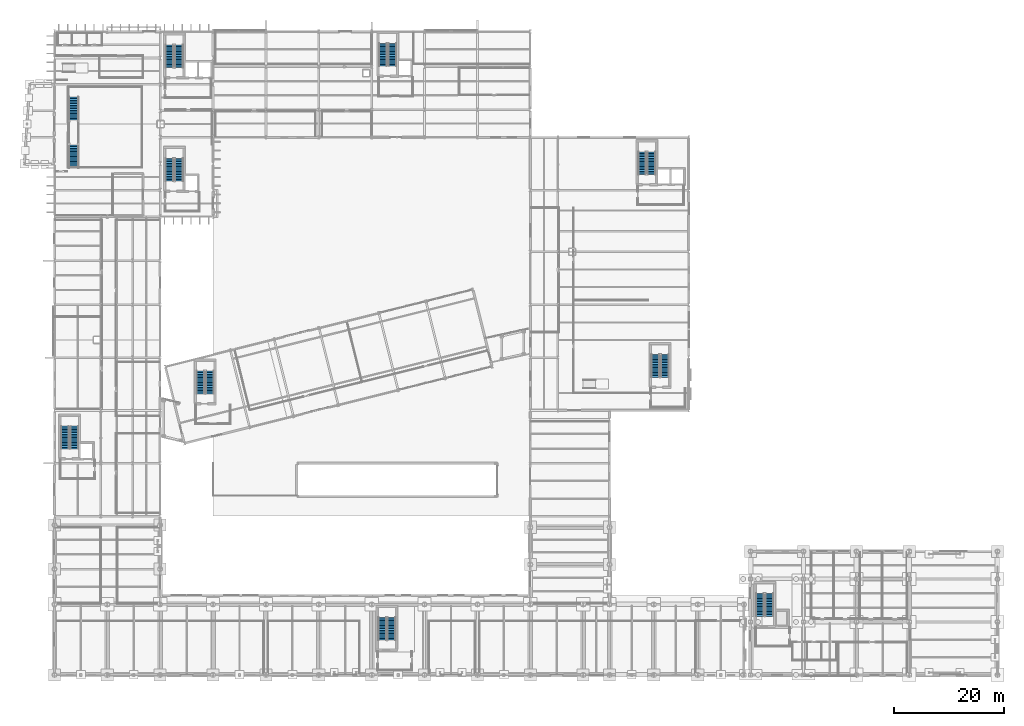
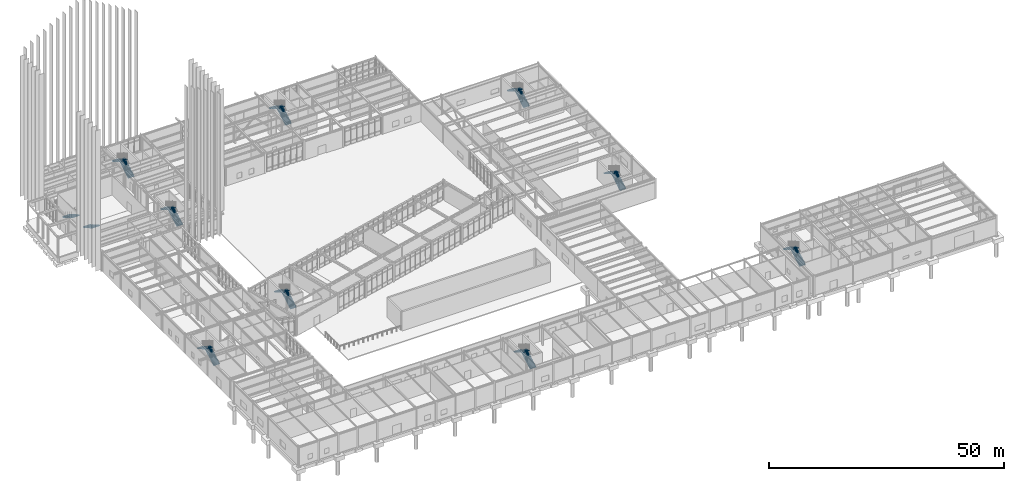
# One storey, part 97 of 109: 20 stair flights, 10 elements without a shape of their own.
"""IFC4 building model written with IfcOpenShell, lengths in metres."""

from ifc_helpers import new_model, si_unit, direction, frame, origin, place, context, subcontext, project, spatial, polyline, outline, extrude, material, type_object, element, aggregate, save


model = new_model("IFC4")

# Units and contexts
model_context = context("Model", 3, precision=1e-05, world=origin(), true_north=direction((0.0, 1.0)))
body_context = subcontext(model_context, "Body", "Model", "MODEL_VIEW")
ifc_project = project(units=[si_unit("LENGTHUNIT", "METRE"), si_unit("AREAUNIT", "SQUARE_METRE"), si_unit("VOLUMEUNIT", "CUBIC_METRE"), si_unit("PLANEANGLEUNIT", "RADIAN"), si_unit("MASSUNIT", "GRAM", prefix="KILO")], contexts=[model_context])

# Site, building, storey
site_placement = place(None, origin())
site = spatial("IfcSite", under=ifc_project, at=site_placement, CompositionType="ELEMENT")
building_placement = place(site_placement, origin())
building = spatial("IfcBuilding", under=site, at=building_placement, Name="Nordkorset Police Headquarters", CompositionType="ELEMENT")
storey_placement = place(building_placement, origin())
storey = spatial("IfcBuildingStorey", under=building, at=storey_placement, Name="L00", CompositionType="ELEMENT", Elevation=0.0)

# Stair, stair flights
ifc_material_1 = material(Name="Concrete C35/45", Category="concrete")
stair_type_1 = type_object("IfcStairType", Name="ST-52", PredefinedType="HALF_TURN_STAIR", material=ifc_material_1)
stair_1_placement = place(storey_placement, origin())
stair_1 = element("IfcStair", 1, at=stair_1_placement, inside=storey, type_object=stair_type_1, Name="L00 Protected Escape Stair ST-01", PredefinedType="HALF_TURN_STAIR")
ifc_material_2 = material(Name="Concrete C35/45", Category="concrete")
stair_flight_type_1 = type_object("IfcStairFlightType", Name="SF-52", PredefinedType="STRAIGHT", material=ifc_material_2)
stair_flight_1_placement = place(storey_placement, frame((22.625, 110.22509765625, 0.0), z_axis=(0.0, 0.0, 1.0), x_axis=(0.0, 1.0, 0.0)))
stair_flight_1 = element("IfcStairFlight", 2, at=stair_flight_1_placement, type_object=stair_flight_type_1, Name="ST-01 flight 1", NumberOfRisers=15, NumberOfTreads=14, PredefinedType="STRAIGHT", RiserHeight=0.175, TreadLength=0.295, context=body_context, shape_type="SweptSolid", body=[
    extrude(outline(polyline([(0.0, 0.0), (0.0, 0.175048828125), (0.294921875, 0.175048828125), (0.294921875, 0.35009765625), (0.590087890625, 0.35009765625), (0.590087890625, 0.52490234375), (0.885009765625, 0.52490234375), (0.885009765625, 0.699951171875), (1.179931640625, 0.699951171875), (1.179931640625, 0.875), (1.47509765625, 0.875), (1.47509765625, 1.050048828125), (1.77001953125, 1.050048828125), (1.77001953125, 1.22509765625), (2.06494140625, 1.22509765625), (2.06494140625, 1.39990234375), (2.360107421875, 1.39990234375), (2.360107421875, 1.574951171875), (2.655029296875, 1.574951171875), (2.655029296875, 1.75), (2.949951171875, 1.75), (2.949951171875, 1.925048828125), (3.2451171875, 1.925048828125), (3.2451171875, 2.10009765625), (3.5400390625, 2.10009765625), (3.5400390625, 2.27490234375), (3.8349609375, 2.27490234375), (3.8349609375, 2.449951171875), (4.1298828125, 2.449951171875), (4.1298828125, 2.625), (4.1298828125, 2.26416015625), (0.3134765625, 0.0), (0.0, 0.0)])), frame((0.0, 0.75, 0.0), z_axis=(0.0, -1.0, 0.0), x_axis=(1.0, 0.0, 0.0)), (0.0, 0.0, 1.0), 1.5),
])
stair_flight_2_placement = place(storey_placement, frame((20.925048828125, 114.35498046875, 2.625), z_axis=(0.0, 0.0, 1.0), x_axis=(0.0, -1.0, 0.0)))
stair_flight_2 = element("IfcStairFlight", 3, at=stair_flight_2_placement, type_object=stair_flight_type_1, Name="ST-01 flight 2", NumberOfRisers=15, NumberOfTreads=14, PredefinedType="STRAIGHT", RiserHeight=0.175, TreadLength=0.295, context=body_context, shape_type="SweptSolid", body=[
    extrude(outline(polyline([(0.0, 0.0), (0.0, 0.175048828125), (0.294921875, 0.175048828125), (0.294921875, 0.35009765625), (0.590087890625, 0.35009765625), (0.590087890625, 0.52490234375), (0.885009765625, 0.52490234375), (0.885009765625, 0.699951171875), (1.179931640625, 0.699951171875), (1.179931640625, 0.875), (1.47509765625, 0.875), (1.47509765625, 1.050048828125), (1.77001953125, 1.050048828125), (1.77001953125, 1.22509765625), (2.06494140625, 1.22509765625), (2.06494140625, 1.39990234375), (2.360107421875, 1.39990234375), (2.360107421875, 1.574951171875), (2.655029296875, 1.574951171875), (2.655029296875, 1.75), (2.949951171875, 1.75), (2.949951171875, 1.925048828125), (3.2451171875, 1.925048828125), (3.2451171875, 2.10009765625), (3.5400390625, 2.10009765625), (3.5400390625, 2.27490234375), (3.8349609375, 2.27490234375), (3.8349609375, 2.449951171875), (4.1298828125, 2.449951171875), (4.1298828125, 2.625), (4.1298828125, 2.26416015625), (0.3134765625, 0.0), (0.0, 0.0)])), frame((0.0, 0.75, 0.0), z_axis=(0.0, -1.0, 0.0), x_axis=(1.0, 0.0, 0.0)), (0.0, 0.0, 1.0), 1.5),
])
aggregate(stair_1, [stair_flight_1, stair_flight_2])

stair_2_placement = place(storey_placement, origin())
stair_2 = element("IfcStair", 4, at=stair_2_placement, inside=storey, type_object=stair_type_1, Name="L00 Protected Escape Stair ST-03", PredefinedType="HALF_TURN_STAIR")
stair_flight_3_placement = place(storey_placement, frame((22.625, 89.625, 0.0), z_axis=(0.0, 0.0, 1.0), x_axis=(0.0, 1.0, 0.0)))
stair_flight_3 = element("IfcStairFlight", 5, at=stair_flight_3_placement, type_object=stair_flight_type_1, Name="ST-03 flight 1", NumberOfRisers=15, NumberOfTreads=14, PredefinedType="STRAIGHT", RiserHeight=0.175, TreadLength=0.295, context=body_context, shape_type="SweptSolid", body=[
    extrude(outline(polyline([(0.0, 0.0), (0.0, 0.175048828125), (0.294921875, 0.175048828125), (0.294921875, 0.35009765625), (0.590087890625, 0.35009765625), (0.590087890625, 0.52490234375), (0.885009765625, 0.52490234375), (0.885009765625, 0.699951171875), (1.179931640625, 0.699951171875), (1.179931640625, 0.875), (1.47509765625, 0.875), (1.47509765625, 1.050048828125), (1.77001953125, 1.050048828125), (1.77001953125, 1.22509765625), (2.06494140625, 1.22509765625), (2.06494140625, 1.39990234375), (2.360107421875, 1.39990234375), (2.360107421875, 1.574951171875), (2.655029296875, 1.574951171875), (2.655029296875, 1.75), (2.949951171875, 1.75), (2.949951171875, 1.925048828125), (3.2451171875, 1.925048828125), (3.2451171875, 2.10009765625), (3.5400390625, 2.10009765625), (3.5400390625, 2.27490234375), (3.8349609375, 2.27490234375), (3.8349609375, 2.449951171875), (4.1298828125, 2.449951171875), (4.1298828125, 2.625), (4.1298828125, 2.26416015625), (0.3134765625, 0.0), (0.0, 0.0)])), frame((0.0, 0.75, 0.0), z_axis=(0.0, -1.0, 0.0), x_axis=(1.0, 0.0, 0.0)), (0.0, 0.0, 1.0), 1.5),
])
stair_flight_4_placement = place(storey_placement, frame((20.925048828125, 93.7548828125, 2.625), z_axis=(0.0, 0.0, 1.0), x_axis=(0.0, -1.0, 0.0)))
stair_flight_4 = element("IfcStairFlight", 6, at=stair_flight_4_placement, type_object=stair_flight_type_1, Name="ST-03 flight 2", NumberOfRisers=15, NumberOfTreads=14, PredefinedType="STRAIGHT", RiserHeight=0.175, TreadLength=0.295, context=body_context, shape_type="SweptSolid", body=[
    extrude(outline(polyline([(0.0, 0.0), (0.0, 0.175048828125), (0.294921875, 0.175048828125), (0.294921875, 0.35009765625), (0.590087890625, 0.35009765625), (0.590087890625, 0.52490234375), (0.885009765625, 0.52490234375), (0.885009765625, 0.699951171875), (1.179931640625, 0.699951171875), (1.179931640625, 0.875), (1.47509765625, 0.875), (1.47509765625, 1.050048828125), (1.77001953125, 1.050048828125), (1.77001953125, 1.22509765625), (2.06494140625, 1.22509765625), (2.06494140625, 1.39990234375), (2.360107421875, 1.39990234375), (2.360107421875, 1.574951171875), (2.655029296875, 1.574951171875), (2.655029296875, 1.75), (2.949951171875, 1.75), (2.949951171875, 1.925048828125), (3.2451171875, 1.925048828125), (3.2451171875, 2.10009765625), (3.5400390625, 2.10009765625), (3.5400390625, 2.27490234375), (3.8349609375, 2.27490234375), (3.8349609375, 2.449951171875), (4.1298828125, 2.449951171875), (4.1298828125, 2.625), (4.1298828125, 2.26416015625), (0.3134765625, 0.0), (0.0, 0.0)])), frame((0.0, 0.75, 0.0), z_axis=(0.0, -1.0, 0.0), x_axis=(1.0, 0.0, 0.0)), (0.0, 0.0, 1.0), 1.5),
])
aggregate(stair_2, [stair_flight_3, stair_flight_4])

stair_3_placement = place(storey_placement, origin())
stair_3 = element("IfcStair", 7, at=stair_3_placement, inside=storey, type_object=stair_type_1, Name="L00 Protected Escape Stair ST-02", PredefinedType="HALF_TURN_STAIR")
stair_flight_5_placement = place(storey_placement, frame((61.375, 110.52490234375, 0.0), z_axis=(0.0, 0.0, 1.0), x_axis=(0.0, 1.0, 0.0)))
stair_flight_5 = element("IfcStairFlight", 8, at=stair_flight_5_placement, type_object=stair_flight_type_1, Name="ST-02 flight 1", NumberOfRisers=15, NumberOfTreads=14, PredefinedType="STRAIGHT", RiserHeight=0.175, TreadLength=0.295, context=body_context, shape_type="SweptSolid", body=[
    extrude(outline(polyline([(0.0, 0.0), (0.0, 0.175048828125), (0.294921875, 0.175048828125), (0.294921875, 0.35009765625), (0.590087890625, 0.35009765625), (0.590087890625, 0.52490234375), (0.885009765625, 0.52490234375), (0.885009765625, 0.699951171875), (1.179931640625, 0.699951171875), (1.179931640625, 0.875), (1.47509765625, 0.875), (1.47509765625, 1.050048828125), (1.77001953125, 1.050048828125), (1.77001953125, 1.22509765625), (2.06494140625, 1.22509765625), (2.06494140625, 1.39990234375), (2.360107421875, 1.39990234375), (2.360107421875, 1.574951171875), (2.655029296875, 1.574951171875), (2.655029296875, 1.75), (2.949951171875, 1.75), (2.949951171875, 1.925048828125), (3.2451171875, 1.925048828125), (3.2451171875, 2.10009765625), (3.5400390625, 2.10009765625), (3.5400390625, 2.27490234375), (3.8349609375, 2.27490234375), (3.8349609375, 2.449951171875), (4.1298828125, 2.449951171875), (4.1298828125, 2.625), (4.1298828125, 2.26416015625), (0.3134765625, 0.0), (0.0, 0.0)])), frame((0.0, 0.75, 0.0), z_axis=(0.0, -1.0, 0.0), x_axis=(1.0, 0.0, 0.0)), (0.0, 0.0, 1.0), 1.5),
])
stair_flight_6_placement = place(storey_placement, frame((59.675048828125, 114.655029296875, 2.625), z_axis=(0.0, 0.0, 1.0), x_axis=(0.0, -1.0, 0.0)))
stair_flight_6 = element("IfcStairFlight", 9, at=stair_flight_6_placement, type_object=stair_flight_type_1, Name="ST-02 flight 2", NumberOfRisers=15, NumberOfTreads=14, PredefinedType="STRAIGHT", RiserHeight=0.175, TreadLength=0.295, context=body_context, shape_type="SweptSolid", body=[
    extrude(outline(polyline([(0.0, 0.0), (0.0, 0.175048828125), (0.294921875, 0.175048828125), (0.294921875, 0.35009765625), (0.590087890625, 0.35009765625), (0.590087890625, 0.52490234375), (0.885009765625, 0.52490234375), (0.885009765625, 0.699951171875), (1.179931640625, 0.699951171875), (1.179931640625, 0.875), (1.47509765625, 0.875), (1.47509765625, 1.050048828125), (1.77001953125, 1.050048828125), (1.77001953125, 1.22509765625), (2.06494140625, 1.22509765625), (2.06494140625, 1.39990234375), (2.360107421875, 1.39990234375), (2.360107421875, 1.574951171875), (2.655029296875, 1.574951171875), (2.655029296875, 1.75), (2.949951171875, 1.75), (2.949951171875, 1.925048828125), (3.2451171875, 1.925048828125), (3.2451171875, 2.10009765625), (3.5400390625, 2.10009765625), (3.5400390625, 2.27490234375), (3.8349609375, 2.27490234375), (3.8349609375, 2.449951171875), (4.1298828125, 2.449951171875), (4.1298828125, 2.625), (4.1298828125, 2.26416015625), (0.3134765625, 0.0), (0.0, 0.0)])), frame((0.0, 0.75, 0.0), z_axis=(0.0, -1.0, 0.0), x_axis=(1.0, 0.0, 0.0)), (0.0, 0.0, 1.0), 1.5),
])
aggregate(stair_3, [stair_flight_5, stair_flight_6])

stair_4_placement = place(storey_placement, origin())
stair_4 = element("IfcStair", 10, at=stair_4_placement, inside=storey, type_object=stair_type_1, Name="L00 Protected Escape Stair ST-04", PredefinedType="HALF_TURN_STAIR")
stair_flight_7_placement = place(storey_placement, frame((3.625, 41.02490234375, 0.0), z_axis=(0.0, 0.0, 1.0), x_axis=(0.0, 1.0, 0.0)))
stair_flight_7 = element("IfcStairFlight", 11, at=stair_flight_7_placement, type_object=stair_flight_type_1, Name="ST-04 flight 1", NumberOfRisers=15, NumberOfTreads=14, PredefinedType="STRAIGHT", RiserHeight=0.175, TreadLength=0.295, context=body_context, shape_type="SweptSolid", body=[
    extrude(outline(polyline([(0.0, 0.0), (0.0, 0.175048828125), (0.294921875, 0.175048828125), (0.294921875, 0.35009765625), (0.590087890625, 0.35009765625), (0.590087890625, 0.52490234375), (0.885009765625, 0.52490234375), (0.885009765625, 0.699951171875), (1.179931640625, 0.699951171875), (1.179931640625, 0.875), (1.47509765625, 0.875), (1.47509765625, 1.050048828125), (1.77001953125, 1.050048828125), (1.77001953125, 1.22509765625), (2.06494140625, 1.22509765625), (2.06494140625, 1.39990234375), (2.360107421875, 1.39990234375), (2.360107421875, 1.574951171875), (2.655029296875, 1.574951171875), (2.655029296875, 1.75), (2.949951171875, 1.75), (2.949951171875, 1.925048828125), (3.2451171875, 1.925048828125), (3.2451171875, 2.10009765625), (3.5400390625, 2.10009765625), (3.5400390625, 2.27490234375), (3.8349609375, 2.27490234375), (3.8349609375, 2.449951171875), (4.1298828125, 2.449951171875), (4.1298828125, 2.625), (4.1298828125, 2.26416015625), (0.3134765625, 0.0), (0.0, 0.0)])), frame((0.0, 0.75, 0.0), z_axis=(0.0, -1.0, 0.0), x_axis=(1.0, 0.0, 0.0)), (0.0, 0.0, 1.0), 1.5),
])
stair_flight_8_placement = place(storey_placement, frame((1.925048828125, 45.155029296875, 2.625), z_axis=(0.0, 0.0, 1.0), x_axis=(0.0, -1.0, 0.0)))
stair_flight_8 = element("IfcStairFlight", 12, at=stair_flight_8_placement, type_object=stair_flight_type_1, Name="ST-04 flight 2", NumberOfRisers=15, NumberOfTreads=14, PredefinedType="STRAIGHT", RiserHeight=0.175, TreadLength=0.295, context=body_context, shape_type="SweptSolid", body=[
    extrude(outline(polyline([(0.0, 0.0), (0.0, 0.175048828125), (0.294921875, 0.175048828125), (0.294921875, 0.35009765625), (0.590087890625, 0.35009765625), (0.590087890625, 0.52490234375), (0.885009765625, 0.52490234375), (0.885009765625, 0.699951171875), (1.179931640625, 0.699951171875), (1.179931640625, 0.875), (1.47509765625, 0.875), (1.47509765625, 1.050048828125), (1.77001953125, 1.050048828125), (1.77001953125, 1.22509765625), (2.06494140625, 1.22509765625), (2.06494140625, 1.39990234375), (2.360107421875, 1.39990234375), (2.360107421875, 1.574951171875), (2.655029296875, 1.574951171875), (2.655029296875, 1.75), (2.949951171875, 1.75), (2.949951171875, 1.925048828125), (3.2451171875, 1.925048828125), (3.2451171875, 2.10009765625), (3.5400390625, 2.10009765625), (3.5400390625, 2.27490234375), (3.8349609375, 2.27490234375), (3.8349609375, 2.449951171875), (4.1298828125, 2.449951171875), (4.1298828125, 2.625), (4.1298828125, 2.26416015625), (0.3134765625, 0.0), (0.0, 0.0)])), frame((0.0, 0.75, 0.0), z_axis=(0.0, -1.0, 0.0), x_axis=(1.0, 0.0, 0.0)), (0.0, 0.0, 1.0), 1.5),
])
aggregate(stair_4, [stair_flight_7, stair_flight_8])

stair_5_placement = place(storey_placement, origin())
stair_5 = element("IfcStair", 13, at=stair_5_placement, inside=storey, type_object=stair_type_1, Name="L00 Protected Escape Stair ST-05", PredefinedType="HALF_TURN_STAIR")
stair_flight_9_placement = place(storey_placement, frame((108.425048828125, 90.824951171875, 0.0), z_axis=(0.0, 0.0, 1.0), x_axis=(0.0, 1.0, 0.0)))
stair_flight_9 = element("IfcStairFlight", 14, at=stair_flight_9_placement, type_object=stair_flight_type_1, Name="ST-05 flight 1", NumberOfRisers=15, NumberOfTreads=14, PredefinedType="STRAIGHT", RiserHeight=0.175, TreadLength=0.295, context=body_context, shape_type="SweptSolid", body=[
    extrude(outline(polyline([(0.0, 0.0), (0.0, 0.175048828125), (0.294921875, 0.175048828125), (0.294921875, 0.35009765625), (0.590087890625, 0.35009765625), (0.590087890625, 0.52490234375), (0.885009765625, 0.52490234375), (0.885009765625, 0.699951171875), (1.179931640625, 0.699951171875), (1.179931640625, 0.875), (1.47509765625, 0.875), (1.47509765625, 1.050048828125), (1.77001953125, 1.050048828125), (1.77001953125, 1.22509765625), (2.06494140625, 1.22509765625), (2.06494140625, 1.39990234375), (2.360107421875, 1.39990234375), (2.360107421875, 1.574951171875), (2.655029296875, 1.574951171875), (2.655029296875, 1.75), (2.949951171875, 1.75), (2.949951171875, 1.925048828125), (3.2451171875, 1.925048828125), (3.2451171875, 2.10009765625), (3.5400390625, 2.10009765625), (3.5400390625, 2.27490234375), (3.8349609375, 2.27490234375), (3.8349609375, 2.449951171875), (4.1298828125, 2.449951171875), (4.1298828125, 2.625), (4.1298828125, 2.26416015625), (0.3134765625, 0.0), (0.0, 0.0)])), frame((0.0, 0.75, 0.0), z_axis=(0.0, -1.0, 0.0), x_axis=(1.0, 0.0, 0.0)), (0.0, 0.0, 1.0), 1.5),
])
stair_flight_10_placement = place(storey_placement, frame((106.72509765625, 94.955078125, 2.625), z_axis=(0.0, 0.0, 1.0), x_axis=(0.0, -1.0, 0.0)))
stair_flight_10 = element("IfcStairFlight", 15, at=stair_flight_10_placement, type_object=stair_flight_type_1, Name="ST-05 flight 2", NumberOfRisers=15, NumberOfTreads=14, PredefinedType="STRAIGHT", RiserHeight=0.175, TreadLength=0.295, context=body_context, shape_type="SweptSolid", body=[
    extrude(outline(polyline([(0.0, 0.0), (0.0, 0.175048828125), (0.294921875, 0.175048828125), (0.294921875, 0.35009765625), (0.590087890625, 0.35009765625), (0.590087890625, 0.52490234375), (0.885009765625, 0.52490234375), (0.885009765625, 0.699951171875), (1.179931640625, 0.699951171875), (1.179931640625, 0.875), (1.47509765625, 0.875), (1.47509765625, 1.050048828125), (1.77001953125, 1.050048828125), (1.77001953125, 1.22509765625), (2.06494140625, 1.22509765625), (2.06494140625, 1.39990234375), (2.360107421875, 1.39990234375), (2.360107421875, 1.574951171875), (2.655029296875, 1.574951171875), (2.655029296875, 1.75), (2.949951171875, 1.75), (2.949951171875, 1.925048828125), (3.2451171875, 1.925048828125), (3.2451171875, 2.10009765625), (3.5400390625, 2.10009765625), (3.5400390625, 2.27490234375), (3.8349609375, 2.27490234375), (3.8349609375, 2.449951171875), (4.1298828125, 2.449951171875), (4.1298828125, 2.625), (4.1298828125, 2.26416015625), (0.3134765625, 0.0), (0.0, 0.0)])), frame((0.0, 0.75, 0.0), z_axis=(0.0, -1.0, 0.0), x_axis=(1.0, 0.0, 0.0)), (0.0, 0.0, 1.0), 1.5),
])
aggregate(stair_5, [stair_flight_9, stair_flight_10])

stair_6_placement = place(storey_placement, origin())
stair_6 = element("IfcStair", 16, at=stair_6_placement, inside=storey, type_object=stair_type_1, Name="L00 Protected Escape Stair ST-06", PredefinedType="HALF_TURN_STAIR")
stair_flight_11_placement = place(storey_placement, frame((129.824951171875, 10.625, 0.0), z_axis=(0.0, 0.0, 1.0), x_axis=(0.0, 1.0, 0.0)))
stair_flight_11 = element("IfcStairFlight", 17, at=stair_flight_11_placement, type_object=stair_flight_type_1, Name="ST-06 flight 1", NumberOfRisers=15, NumberOfTreads=14, PredefinedType="STRAIGHT", RiserHeight=0.175, TreadLength=0.295, context=body_context, shape_type="SweptSolid", body=[
    extrude(outline(polyline([(0.0, 0.0), (0.0, 0.175048828125), (0.294921875, 0.175048828125), (0.294921875, 0.35009765625), (0.590087890625, 0.35009765625), (0.590087890625, 0.52490234375), (0.885009765625, 0.52490234375), (0.885009765625, 0.699951171875), (1.179931640625, 0.699951171875), (1.179931640625, 0.875), (1.47509765625, 0.875), (1.47509765625, 1.050048828125), (1.77001953125, 1.050048828125), (1.77001953125, 1.22509765625), (2.06494140625, 1.22509765625), (2.06494140625, 1.39990234375), (2.360107421875, 1.39990234375), (2.360107421875, 1.574951171875), (2.655029296875, 1.574951171875), (2.655029296875, 1.75), (2.949951171875, 1.75), (2.949951171875, 1.925048828125), (3.2451171875, 1.925048828125), (3.2451171875, 2.10009765625), (3.5400390625, 2.10009765625), (3.5400390625, 2.27490234375), (3.8349609375, 2.27490234375), (3.8349609375, 2.449951171875), (4.1298828125, 2.449951171875), (4.1298828125, 2.625), (4.1298828125, 2.26416015625), (0.3134765625, 0.0), (0.0, 0.0)])), frame((0.0, 0.75, 0.0), z_axis=(0.0, -1.0, 0.0), x_axis=(1.0, 0.0, 0.0)), (0.0, 0.0, 1.0), 1.5),
])
stair_flight_12_placement = place(storey_placement, frame((128.125, 14.7548828125, 2.625), z_axis=(0.0, 0.0, 1.0), x_axis=(0.0, -1.0, 0.0)))
stair_flight_12 = element("IfcStairFlight", 18, at=stair_flight_12_placement, type_object=stair_flight_type_1, Name="ST-06 flight 2", NumberOfRisers=15, NumberOfTreads=14, PredefinedType="STRAIGHT", RiserHeight=0.175, TreadLength=0.295, context=body_context, shape_type="SweptSolid", body=[
    extrude(outline(polyline([(0.0, 0.0), (0.0, 0.175048828125), (0.294921875, 0.175048828125), (0.294921875, 0.35009765625), (0.590087890625, 0.35009765625), (0.590087890625, 0.52490234375), (0.885009765625, 0.52490234375), (0.885009765625, 0.699951171875), (1.179931640625, 0.699951171875), (1.179931640625, 0.875), (1.47509765625, 0.875), (1.47509765625, 1.050048828125), (1.77001953125, 1.050048828125), (1.77001953125, 1.22509765625), (2.06494140625, 1.22509765625), (2.06494140625, 1.39990234375), (2.360107421875, 1.39990234375), (2.360107421875, 1.574951171875), (2.655029296875, 1.574951171875), (2.655029296875, 1.75), (2.949951171875, 1.75), (2.949951171875, 1.925048828125), (3.2451171875, 1.925048828125), (3.2451171875, 2.10009765625), (3.5400390625, 2.10009765625), (3.5400390625, 2.27490234375), (3.8349609375, 2.27490234375), (3.8349609375, 2.449951171875), (4.1298828125, 2.449951171875), (4.1298828125, 2.625), (4.1298828125, 2.26416015625), (0.3134765625, 0.0), (0.0, 0.0)])), frame((0.0, 0.75, 0.0), z_axis=(0.0, -1.0, 0.0), x_axis=(1.0, 0.0, 0.0)), (0.0, 0.0, 1.0), 1.5),
])
aggregate(stair_6, [stair_flight_11, stair_flight_12])

stair_7_placement = place(storey_placement, origin())
stair_7 = element("IfcStair", 19, at=stair_7_placement, inside=storey, type_object=stair_type_1, Name="L00 Protected Escape Stair ST-08", PredefinedType="HALF_TURN_STAIR")
stair_flight_13_placement = place(storey_placement, frame((28.22509765625, 51.02490234375, 0.0), z_axis=(0.0, 0.0, 1.0), x_axis=(0.0, 1.0, 0.0)))
stair_flight_13 = element("IfcStairFlight", 20, at=stair_flight_13_placement, type_object=stair_flight_type_1, Name="ST-08 flight 1", NumberOfRisers=15, NumberOfTreads=14, PredefinedType="STRAIGHT", RiserHeight=0.175, TreadLength=0.295, context=body_context, shape_type="SweptSolid", body=[
    extrude(outline(polyline([(0.0, 0.0), (0.0, 0.175048828125), (0.294921875, 0.175048828125), (0.294921875, 0.35009765625), (0.590087890625, 0.35009765625), (0.590087890625, 0.52490234375), (0.885009765625, 0.52490234375), (0.885009765625, 0.699951171875), (1.179931640625, 0.699951171875), (1.179931640625, 0.875), (1.47509765625, 0.875), (1.47509765625, 1.050048828125), (1.77001953125, 1.050048828125), (1.77001953125, 1.22509765625), (2.06494140625, 1.22509765625), (2.06494140625, 1.39990234375), (2.360107421875, 1.39990234375), (2.360107421875, 1.574951171875), (2.655029296875, 1.574951171875), (2.655029296875, 1.75), (2.949951171875, 1.75), (2.949951171875, 1.925048828125), (3.2451171875, 1.925048828125), (3.2451171875, 2.10009765625), (3.5400390625, 2.10009765625), (3.5400390625, 2.27490234375), (3.8349609375, 2.27490234375), (3.8349609375, 2.449951171875), (4.1298828125, 2.449951171875), (4.1298828125, 2.625), (4.1298828125, 2.26416015625), (0.3134765625, 0.0), (0.0, 0.0)])), frame((0.0, 0.75, 0.0), z_axis=(0.0, -1.0, 0.0), x_axis=(1.0, 0.0, 0.0)), (0.0, 0.0, 1.0), 1.5),
])
stair_flight_14_placement = place(storey_placement, frame((26.52490234375, 55.155029296875, 2.625), z_axis=(0.0, 0.0, 1.0), x_axis=(0.0, -1.0, 0.0)))
stair_flight_14 = element("IfcStairFlight", 21, at=stair_flight_14_placement, type_object=stair_flight_type_1, Name="ST-08 flight 2", NumberOfRisers=15, NumberOfTreads=14, PredefinedType="STRAIGHT", RiserHeight=0.175, TreadLength=0.295, context=body_context, shape_type="SweptSolid", body=[
    extrude(outline(polyline([(0.0, 0.0), (0.0, 0.175048828125), (0.294921875, 0.175048828125), (0.294921875, 0.35009765625), (0.590087890625, 0.35009765625), (0.590087890625, 0.52490234375), (0.885009765625, 0.52490234375), (0.885009765625, 0.699951171875), (1.179931640625, 0.699951171875), (1.179931640625, 0.875), (1.47509765625, 0.875), (1.47509765625, 1.050048828125), (1.77001953125, 1.050048828125), (1.77001953125, 1.22509765625), (2.06494140625, 1.22509765625), (2.06494140625, 1.39990234375), (2.360107421875, 1.39990234375), (2.360107421875, 1.574951171875), (2.655029296875, 1.574951171875), (2.655029296875, 1.75), (2.949951171875, 1.75), (2.949951171875, 1.925048828125), (3.2451171875, 1.925048828125), (3.2451171875, 2.10009765625), (3.5400390625, 2.10009765625), (3.5400390625, 2.27490234375), (3.8349609375, 2.27490234375), (3.8349609375, 2.449951171875), (4.1298828125, 2.449951171875), (4.1298828125, 2.625), (4.1298828125, 2.26416015625), (0.3134765625, 0.0), (0.0, 0.0)])), frame((0.0, 0.75, 0.0), z_axis=(0.0, -1.0, 0.0), x_axis=(1.0, 0.0, 0.0)), (0.0, 0.0, 1.0), 1.5),
])
aggregate(stair_7, [stair_flight_13, stair_flight_14])

stair_8_placement = place(storey_placement, origin())
stair_8 = element("IfcStair", 22, at=stair_8_placement, inside=storey, type_object=stair_type_1, Name="L00 Protected Escape Stair ST-09", PredefinedType="HALF_TURN_STAIR")
stair_flight_15_placement = place(storey_placement, frame((110.824951171875, 54.02490234375, 0.0), z_axis=(0.0, 0.0, 1.0), x_axis=(0.0, 1.0, 0.0)))
stair_flight_15 = element("IfcStairFlight", 23, at=stair_flight_15_placement, type_object=stair_flight_type_1, Name="ST-09 flight 1", NumberOfRisers=15, NumberOfTreads=14, PredefinedType="STRAIGHT", RiserHeight=0.175, TreadLength=0.295, context=body_context, shape_type="SweptSolid", body=[
    extrude(outline(polyline([(0.0, 0.0), (0.0, 0.175048828125), (0.294921875, 0.175048828125), (0.294921875, 0.35009765625), (0.590087890625, 0.35009765625), (0.590087890625, 0.52490234375), (0.885009765625, 0.52490234375), (0.885009765625, 0.699951171875), (1.179931640625, 0.699951171875), (1.179931640625, 0.875), (1.47509765625, 0.875), (1.47509765625, 1.050048828125), (1.77001953125, 1.050048828125), (1.77001953125, 1.22509765625), (2.06494140625, 1.22509765625), (2.06494140625, 1.39990234375), (2.360107421875, 1.39990234375), (2.360107421875, 1.574951171875), (2.655029296875, 1.574951171875), (2.655029296875, 1.75), (2.949951171875, 1.75), (2.949951171875, 1.925048828125), (3.2451171875, 1.925048828125), (3.2451171875, 2.10009765625), (3.5400390625, 2.10009765625), (3.5400390625, 2.27490234375), (3.8349609375, 2.27490234375), (3.8349609375, 2.449951171875), (4.1298828125, 2.449951171875), (4.1298828125, 2.625), (4.1298828125, 2.26416015625), (0.3134765625, 0.0), (0.0, 0.0)])), frame((0.0, 0.75, 0.0), z_axis=(0.0, -1.0, 0.0), x_axis=(1.0, 0.0, 0.0)), (0.0, 0.0, 1.0), 1.5),
])
stair_flight_16_placement = place(storey_placement, frame((109.125, 58.155029296875, 2.625), z_axis=(0.0, 0.0, 1.0), x_axis=(0.0, -1.0, 0.0)))
stair_flight_16 = element("IfcStairFlight", 24, at=stair_flight_16_placement, type_object=stair_flight_type_1, Name="ST-09 flight 2", NumberOfRisers=15, NumberOfTreads=14, PredefinedType="STRAIGHT", RiserHeight=0.175, TreadLength=0.295, context=body_context, shape_type="SweptSolid", body=[
    extrude(outline(polyline([(0.0, 0.0), (0.0, 0.175048828125), (0.294921875, 0.175048828125), (0.294921875, 0.35009765625), (0.590087890625, 0.35009765625), (0.590087890625, 0.52490234375), (0.885009765625, 0.52490234375), (0.885009765625, 0.699951171875), (1.179931640625, 0.699951171875), (1.179931640625, 0.875), (1.47509765625, 0.875), (1.47509765625, 1.050048828125), (1.77001953125, 1.050048828125), (1.77001953125, 1.22509765625), (2.06494140625, 1.22509765625), (2.06494140625, 1.39990234375), (2.360107421875, 1.39990234375), (2.360107421875, 1.574951171875), (2.655029296875, 1.574951171875), (2.655029296875, 1.75), (2.949951171875, 1.75), (2.949951171875, 1.925048828125), (3.2451171875, 1.925048828125), (3.2451171875, 2.10009765625), (3.5400390625, 2.10009765625), (3.5400390625, 2.27490234375), (3.8349609375, 2.27490234375), (3.8349609375, 2.449951171875), (4.1298828125, 2.449951171875), (4.1298828125, 2.625), (4.1298828125, 2.26416015625), (0.3134765625, 0.0), (0.0, 0.0)])), frame((0.0, 0.75, 0.0), z_axis=(0.0, -1.0, 0.0), x_axis=(1.0, 0.0, 0.0)), (0.0, 0.0, 1.0), 1.5),
])
aggregate(stair_8, [stair_flight_15, stair_flight_16])

stair_9_placement = place(storey_placement, origin())
stair_9 = element("IfcStair", 25, at=stair_9_placement, inside=storey, type_object=stair_type_1, Name="L00 Protected Escape Stair ST-10", PredefinedType="HALF_TURN_STAIR")
stair_flight_17_placement = place(storey_placement, frame((61.22509765625, 6.304931640625, 0.0), z_axis=(0.0, 0.0, 1.0), x_axis=(0.0, 1.0, 0.0)))
stair_flight_17 = element("IfcStairFlight", 26, at=stair_flight_17_placement, type_object=stair_flight_type_1, Name="ST-10 flight 1", NumberOfRisers=15, NumberOfTreads=14, PredefinedType="STRAIGHT", RiserHeight=0.175, TreadLength=0.295, context=body_context, shape_type="SweptSolid", body=[
    extrude(outline(polyline([(0.0, 0.0), (0.0, 0.175048828125), (0.294921875, 0.175048828125), (0.294921875, 0.35009765625), (0.590087890625, 0.35009765625), (0.590087890625, 0.52490234375), (0.885009765625, 0.52490234375), (0.885009765625, 0.699951171875), (1.179931640625, 0.699951171875), (1.179931640625, 0.875), (1.47509765625, 0.875), (1.47509765625, 1.050048828125), (1.77001953125, 1.050048828125), (1.77001953125, 1.22509765625), (2.06494140625, 1.22509765625), (2.06494140625, 1.39990234375), (2.360107421875, 1.39990234375), (2.360107421875, 1.574951171875), (2.655029296875, 1.574951171875), (2.655029296875, 1.75), (2.949951171875, 1.75), (2.949951171875, 1.925048828125), (3.2451171875, 1.925048828125), (3.2451171875, 2.10009765625), (3.5400390625, 2.10009765625), (3.5400390625, 2.27490234375), (3.8349609375, 2.27490234375), (3.8349609375, 2.449951171875), (4.1298828125, 2.449951171875), (4.1298828125, 2.625), (4.1298828125, 2.26416015625), (0.3134765625, 0.0), (0.0, 0.0)])), frame((0.0, 0.75, 0.0), z_axis=(0.0, -1.0, 0.0), x_axis=(1.0, 0.0, 0.0)), (0.0, 0.0, 1.0), 1.5),
])
stair_flight_18_placement = place(storey_placement, frame((59.52490234375, 10.43505859375, 2.625), z_axis=(0.0, 0.0, 1.0), x_axis=(0.0, -1.0, 0.0)))
stair_flight_18 = element("IfcStairFlight", 27, at=stair_flight_18_placement, type_object=stair_flight_type_1, Name="ST-10 flight 2", NumberOfRisers=15, NumberOfTreads=14, PredefinedType="STRAIGHT", RiserHeight=0.175, TreadLength=0.295, context=body_context, shape_type="SweptSolid", body=[
    extrude(outline(polyline([(0.0, 0.0), (0.0, 0.175048828125), (0.294921875, 0.175048828125), (0.294921875, 0.35009765625), (0.590087890625, 0.35009765625), (0.590087890625, 0.52490234375), (0.885009765625, 0.52490234375), (0.885009765625, 0.699951171875), (1.179931640625, 0.699951171875), (1.179931640625, 0.875), (1.47509765625, 0.875), (1.47509765625, 1.050048828125), (1.77001953125, 1.050048828125), (1.77001953125, 1.22509765625), (2.06494140625, 1.22509765625), (2.06494140625, 1.39990234375), (2.360107421875, 1.39990234375), (2.360107421875, 1.574951171875), (2.655029296875, 1.574951171875), (2.655029296875, 1.75), (2.949951171875, 1.75), (2.949951171875, 1.925048828125), (3.2451171875, 1.925048828125), (3.2451171875, 2.10009765625), (3.5400390625, 2.10009765625), (3.5400390625, 2.27490234375), (3.8349609375, 2.27490234375), (3.8349609375, 2.449951171875), (4.1298828125, 2.449951171875), (4.1298828125, 2.625), (4.1298828125, 2.26416015625), (0.3134765625, 0.0), (0.0, 0.0)])), frame((0.0, 0.75, 0.0), z_axis=(0.0, -1.0, 0.0), x_axis=(1.0, 0.0, 0.0)), (0.0, 0.0, 1.0), 1.5),
])
aggregate(stair_9, [stair_flight_17, stair_flight_18])

ifc_material_3 = material(Name="Steel S355J2", Category="steel")
stair_type_2 = type_object("IfcStairType", Name="ST-AT1", PredefinedType="STRAIGHT_RUN_STAIR", material=ifc_material_3)
stair_10_placement = place(storey_placement, origin())
stair_10 = element("IfcStair", 28, at=stair_10_placement, inside=storey, type_object=stair_type_2, Name="Public Entrance Hall Feature Stair ST-07", PredefinedType="STRAIGHT_RUN_STAIR")
ifc_material_4 = material(Name="Steel S355J2", Category="steel")
stair_flight_type_2 = type_object("IfcStairFlightType", Name="SF-AT1", PredefinedType="STRAIGHT", material=ifc_material_4)
stair_flight_19_placement = place(storey_placement, frame((3.5, 104.89990234375, 0.0), z_axis=(0.0, 0.0, 1.0), x_axis=(0.0, -1.0, 0.0)))
stair_flight_19 = element("IfcStairFlight", 29, at=stair_flight_19_placement, type_object=stair_flight_type_2, Name="ST-AT1 flight 1", NumberOfRisers=15, NumberOfTreads=14, PredefinedType="STRAIGHT", RiserHeight=0.175, TreadLength=0.3, context=body_context, shape_type="SweptSolid", body=[
    extrude(outline(polyline([(0.0, 0.0), (0.0, 0.175048828125), (0.300048828125, 0.175048828125), (0.300048828125, 0.35009765625), (0.60009765625, 0.35009765625), (0.60009765625, 0.52490234375), (0.89990234375, 0.52490234375), (0.89990234375, 0.699951171875), (1.199951171875, 0.699951171875), (1.199951171875, 0.875), (1.5, 0.875), (1.5, 1.050048828125), (1.800048828125, 1.050048828125), (1.800048828125, 1.22509765625), (2.10009765625, 1.22509765625), (2.10009765625, 1.39990234375), (2.39990234375, 1.39990234375), (2.39990234375, 1.574951171875), (2.699951171875, 1.574951171875), (2.699951171875, 1.75), (3.0, 1.75), (3.0, 1.925048828125), (3.300048828125, 1.925048828125), (3.300048828125, 2.10009765625), (3.60009765625, 2.10009765625), (3.60009765625, 2.27490234375), (3.89990234375, 2.27490234375), (3.89990234375, 2.449951171875), (4.199951171875, 2.449951171875), (4.199951171875, 2.625), (4.199951171875, 2.24169921875), (0.357177734375, 0.0), (0.0, 0.0)])), frame((0.0, 0.89990234375, 0.0), z_axis=(0.0, -1.0, 0.0), x_axis=(1.0, 0.0, 0.0)), (0.0, 0.0, 1.0), 1.800048828125),
])
stair_flight_20_placement = place(storey_placement, frame((3.5, 96.199951171875, 2.625), z_axis=(0.0, 0.0, 1.0), x_axis=(0.0, -1.0, 0.0)))
stair_flight_20 = element("IfcStairFlight", 30, at=stair_flight_20_placement, type_object=stair_flight_type_2, Name="ST-AT1 flight 2", NumberOfRisers=15, NumberOfTreads=14, PredefinedType="STRAIGHT", RiserHeight=0.175, TreadLength=0.3, context=body_context, shape_type="SweptSolid", body=[
    extrude(outline(polyline([(0.0, 0.0), (0.0, 0.175048828125), (0.300048828125, 0.175048828125), (0.300048828125, 0.35009765625), (0.60009765625, 0.35009765625), (0.60009765625, 0.52490234375), (0.89990234375, 0.52490234375), (0.89990234375, 0.699951171875), (1.199951171875, 0.699951171875), (1.199951171875, 0.875), (1.5, 0.875), (1.5, 1.050048828125), (1.800048828125, 1.050048828125), (1.800048828125, 1.22509765625), (2.10009765625, 1.22509765625), (2.10009765625, 1.39990234375), (2.39990234375, 1.39990234375), (2.39990234375, 1.574951171875), (2.699951171875, 1.574951171875), (2.699951171875, 1.75), (3.0, 1.75), (3.0, 1.925048828125), (3.300048828125, 1.925048828125), (3.300048828125, 2.10009765625), (3.60009765625, 2.10009765625), (3.60009765625, 2.27490234375), (3.89990234375, 2.27490234375), (3.89990234375, 2.449951171875), (4.199951171875, 2.449951171875), (4.199951171875, 2.625), (4.199951171875, 2.24169921875), (0.357177734375, 0.0), (0.0, 0.0)])), frame((0.0, 0.89990234375, 0.0), z_axis=(0.0, -1.0, 0.0), x_axis=(1.0, 0.0, 0.0)), (0.0, 0.0, 1.0), 1.800048828125),
])
aggregate(stair_10, [stair_flight_19, stair_flight_20])

save(model, "model.ifc")
